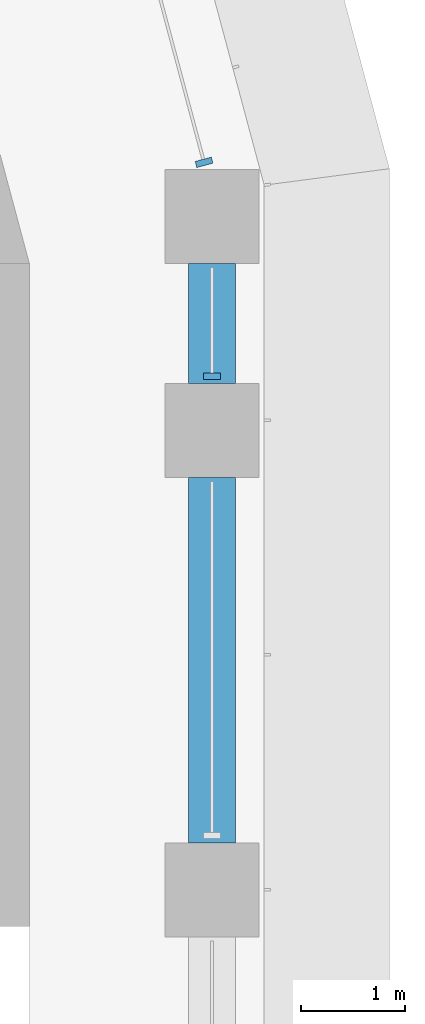
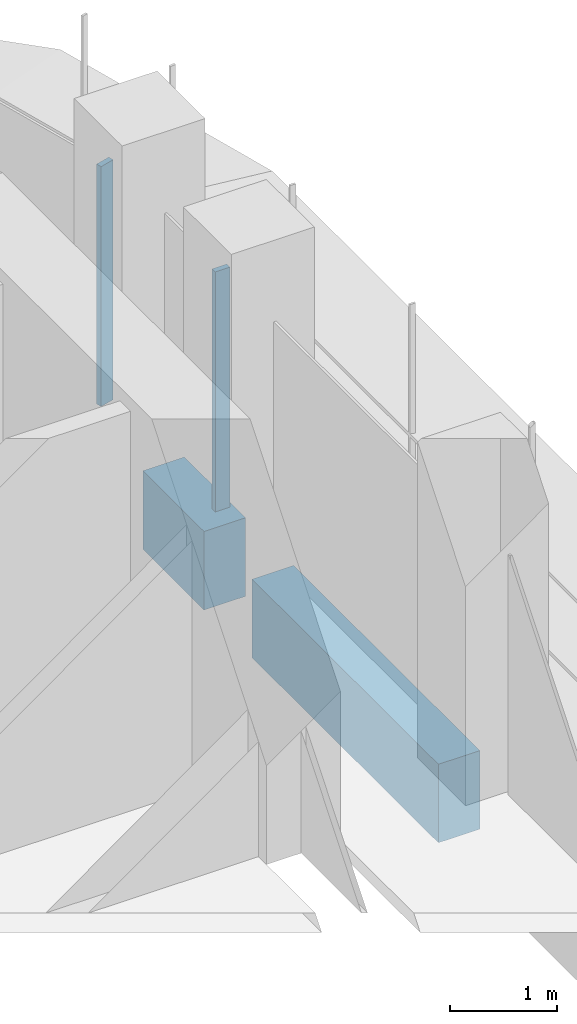
# One storey, part 9 of 22: 2 beams, 2 members, 2 elements without a shape of their own.
"""IFC4 building model written with IfcOpenShell, lengths in metres."""

from ifc_helpers import new_model, si_unit, direction, frame, origin, origin_2d, place, context, subcontext, project, spatial, polyline, rectangle, outline, extrude, source, transform, mapped, material, material_profile, profile_set, type_object, element, aggregate, save


model = new_model("IFC4")

# Units and contexts
model_context = context("Model", 3, precision=1e-05, world=origin(), true_north=direction((0.0, 1.0)))
body_context = subcontext(model_context, "Body", "Model", "MODEL_VIEW")
ifc_project = project(units=[si_unit("LENGTHUNIT", "METRE"), si_unit("AREAUNIT", "SQUARE_METRE"), si_unit("VOLUMEUNIT", "CUBIC_METRE"), si_unit("PLANEANGLEUNIT", "RADIAN"), si_unit("MASSUNIT", "GRAM", prefix="KILO")], contexts=[model_context])

# Site, building, storey
site_placement = place(None, origin())
site = spatial("IfcSite", under=ifc_project, at=site_placement, CompositionType="ELEMENT")
building_placement = place(site_placement, origin())
building = spatial("IfcBuilding", under=site, at=building_placement, Name="Zarbagh Exchange Tower", CompositionType="ELEMENT")
storey_placement = place(building_placement, frame((0.0, 0.0, 98.0)))
storey = spatial("IfcBuildingStorey", under=building, at=storey_placement, Name="L22", CompositionType="ELEMENT", Elevation=98.0)

# Beams
ifc_material_1 = material(Name="Concrete C60/75", Category="concrete")
ifc_material_profile = material_profile(ifc_material_1, rectangle(XDim=0.449951171875, YDim=0.89990234375, at=origin_2d()), Name="RC spandrel beam 450 x 900 C60/75")
ifc_profile_set = profile_set([ifc_material_profile], Name="Concrete C60/75")
beam_type = type_object("IfcBeamType", Name="RC spandrel beam 450 x 900 C60/75", PredefinedType="SPANDREL", material=ifc_profile_set)
beam_1_placement = place(storey_placement, frame((6.25, 26.25, -0.60009765625), z_axis=(0.0, -1.0, 0.0), x_axis=(1.0, 0.0, 0.0)))
element("IfcBeam", 1, at=beam_1_placement, inside=storey, type_object=beam_type, Name="RC spandrel beam", PredefinedType="SPANDREL", context=body_context, shape_type="SweptSolid", body=[
    extrude(rectangle(XDim=0.449951171875, YDim=0.89990234375, at=origin_2d()), origin(), (0.0, 0.0, 1.0), 1.14990234375),
])
beam_2_placement = place(storey_placement, frame((6.25, 24.199951171875, -0.60009765625), z_axis=(0.0, -1.0, 0.0), x_axis=(1.0, 0.0, 0.0)))
element("IfcBeam", 2, at=beam_2_placement, inside=storey, type_object=beam_type, Name="RC spandrel beam", PredefinedType="SPANDREL", context=body_context, shape_type="SweptSolid", body=[
    extrude(rectangle(XDim=0.449951171875, YDim=0.89990234375, at=origin_2d()), origin(), (0.0, 0.0, 1.0), 3.5),
])

# Curtain wall, member
ifc_material_2 = material(Name="Anodised aluminium frame and glazing", Category="aluminium")
curtain_wall_type = type_object("IfcCurtainWallType", Name="CWA Ribbon glazing, lower zones", PredefinedType="NOTDEFINED", material=ifc_material_2)
curtain_wall_1_placement = place(storey_placement, origin())
curtain_wall_1 = element("IfcCurtainWall", 3, at=curtain_wall_1_placement, inside=storey, type_object=curtain_wall_type, Name="CWA49 curtain wall", PredefinedType="NOTDEFINED")
ifc_material_3 = material(Name="Anodised aluminium frame", Category="aluminium")
member_type = type_object("IfcMemberType", Name="MUA Mullion, anodised aluminium frame", PredefinedType="MULLION", material=ifc_material_3)
shared_shape = source(origin(), body_context, "Body", "SweptSolid", [
    extrude(outline(polyline([(0.0, -0.080078125), (0.06005859375, -0.080078125), (0.06005859375, 0.080078125), (0.0, 0.080078125), (0.0, -0.080078125)])), origin(), (0.0, 0.0, 1.0), 2.75),
])
placement = place(storey_placement, origin())
member_1 = element("IfcMember", 4, at=placement, type_object=member_type, Name="CWA49 mullion 4.1", PredefinedType="MULLION", context=body_context, shape_type="MappedRepresentation", body=[
    mapped(shared_shape, transform((6.25, 25.14013671875, 0.0), x_axis=(0.0, 1.0, 0.0), y_axis=(-1.0, 0.0, 0.0), z_axis=(0.0, 0.0, 1.0))),
])
aggregate(curtain_wall_1, [member_1])

curtain_wall_2_placement = place(storey_placement, origin())
curtain_wall_2 = element("IfcCurtainWall", 5, at=curtain_wall_2_placement, inside=storey, type_object=curtain_wall_type, Name="CWA50 curtain wall", PredefinedType="NOTDEFINED")
member_2 = element("IfcMember", 6, at=placement, type_object=member_type, Name="CWA50 mullion 1.1", PredefinedType="MULLION", context=body_context, shape_type="MappedRepresentation", body=[
    mapped(shared_shape, transform((6.181396484375, 27.18994140625, 0.0), x_axis=(-0.258824779902, 0.965924289636, 0.0), y_axis=(-0.965924289636, -0.258824779902, 0.0), z_axis=(0.0, 0.0, 1.0))),
])
aggregate(curtain_wall_2, [member_2])

save(model, "model.ifc")
